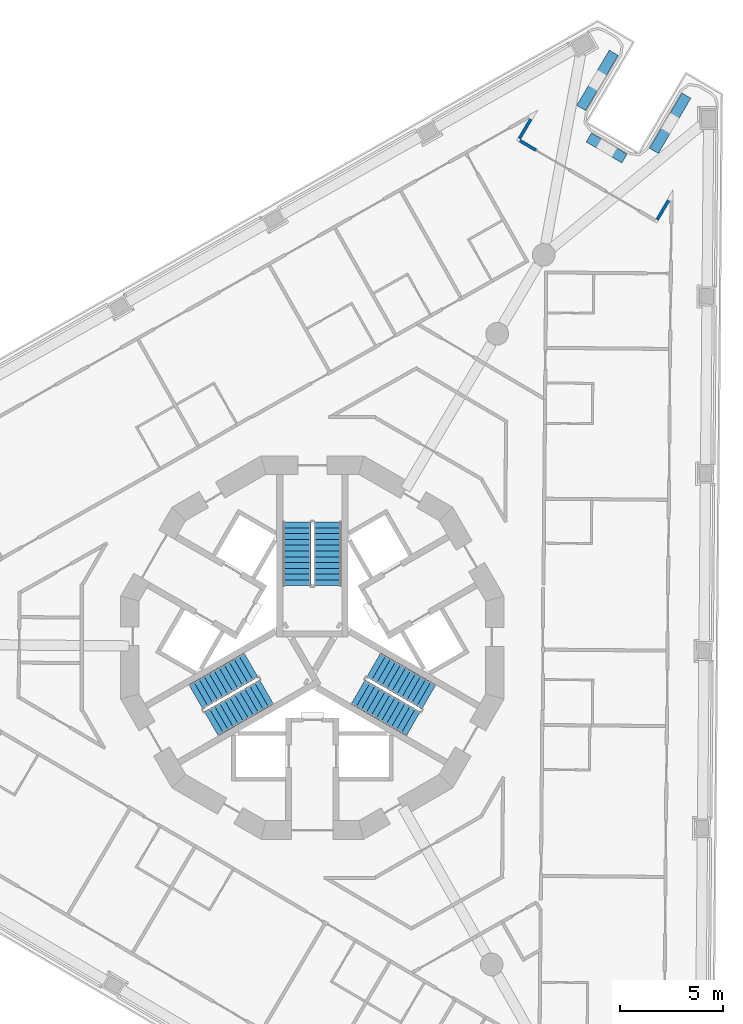
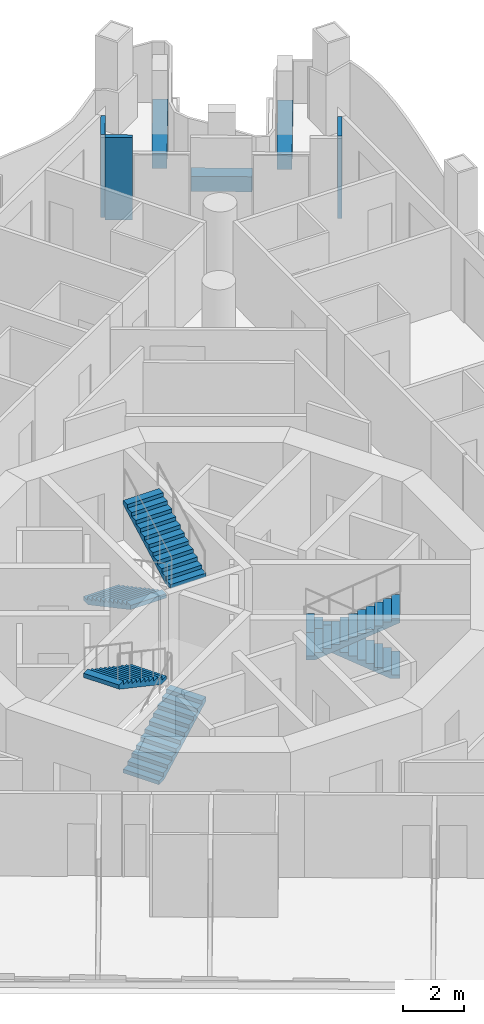
# One storey, part 10 of 17: 6 stair flights, 6 walls, 3 elements without a shape of their own.
"""IFC4 building model written with IfcOpenShell, lengths in metres."""

from ifc_helpers import new_model, si_unit, direction, frame, frame_2d, origin, place, context, subcontext, project, spatial, polyline, rectangle, outline, extrude, material, layer, layer_set, type_object, element, aggregate, save


model = new_model("IFC4")

# Units and contexts
model_context = context("Model", 3, precision=1e-05, world=origin(), true_north=direction((0.0, 1.0)))
body_context = subcontext(model_context, "Body", "Model", "MODEL_VIEW")
ifc_project = project(units=[si_unit("LENGTHUNIT", "METRE"), si_unit("AREAUNIT", "SQUARE_METRE"), si_unit("VOLUMEUNIT", "CUBIC_METRE"), si_unit("PLANEANGLEUNIT", "RADIAN"), si_unit("MASSUNIT", "GRAM", prefix="KILO")], contexts=[model_context])

# Site, building, storey
site_placement = place(None, origin())
site = spatial("IfcSite", under=ifc_project, at=site_placement, CompositionType="ELEMENT")
building_placement = place(site_placement, origin())
building = spatial("IfcBuilding", under=site, at=building_placement, Name="Trine Commons Tower", CompositionType="ELEMENT")
storey_placement = place(building_placement, frame((0.0, 0.0, 164.699951171875)))
storey = spatial("IfcBuildingStorey", under=building, at=storey_placement, Name="L42", CompositionType="ELEMENT", Elevation=164.699951171875)

# Walls
ifc_material_1 = material(Name="Aluminium-framed insulated wall panel", Category="aluminium")
ifc_layer_1 = layer(ifc_material_1, 0.14990234375)
ifc_layer_set_1 = layer_set([ifc_layer_1], Name="Aluminium-framed insulated wall panel")
wall_type_1 = type_object("IfcWallType", Name="Glazed frame wall 150, EI 60", PredefinedType="SOLIDWALL", material=ifc_layer_set_1)
wall_1_placement = place(storey_placement, frame((90.63720703125, 88.173583984375, 0.0), z_axis=(0.0, 0.0, 1.0), x_axis=(-0.507591242276, -0.861598009958, 0.0)))
element("IfcWall", 1, at=wall_1_placement, inside=storey, type_object=wall_type_1, Name="Glazed frame wall R5", PredefinedType="SOLIDWALL", context=body_context, shape_type="SweptSolid", body=[
    extrude(outline(polyline([(0.1494140625, 0.074951171875), (0.1494140625, -0.074951171875), (1.235107421875, -0.074951171875), (1.235107421875, 0.074951171875), (0.1494140625, 0.074951171875)])), origin(), (0.0, 0.0, 1.0), 3.300048828125),
])
wall_2_placement = place(storey_placement, frame((89.9423828125, 87.062744140625, 0.0), z_axis=(0.0, 0.0, 1.0), x_axis=(0.861601384654, -0.50758551394, 0.0)))
element("IfcWall", 2, at=wall_2_placement, inside=storey, type_object=wall_type_1, Name="Glazed frame wall P2.1", PredefinedType="SOLIDWALL", context=body_context, shape_type="SweptSolid", body=[
    extrude(outline(polyline([(0.110107421875, -0.074951171875), (1.0, -0.074951171875), (1.0, 0.074951171875), (0.110107421875, 0.074951171875), (0.110107421875, -0.074951171875)])), origin(), (0.0, 0.0, 1.0), 3.300048828125),
])
wall_3_placement = place(storey_placement, frame((96.614990234375, 83.091552734375, 0.0), z_axis=(0.0, 0.0, 1.0), x_axis=(0.507511857062, 0.86164477306, 0.0)))
element("IfcWall", 3, at=wall_3_placement, inside=storey, type_object=wall_type_1, Name="Glazed frame wall R7", PredefinedType="SOLIDWALL", context=body_context, shape_type="SweptSolid", body=[
    extrude(outline(polyline([(0.110107421875, 0.074951171875), (0.110107421875, -0.074951171875), (1.19580078125, -0.074951171875), (1.19580078125, 0.074951171875), (0.110107421875, 0.074951171875)])), origin(), (0.0, 0.0, 1.0), 3.300048828125),
])
ifc_material_2 = material(Name="Planter trough, precast concrete C40/50", Category="concrete")
ifc_layer_2 = layer(ifc_material_2, 0.5)
ifc_layer_set_2 = layer_set([ifc_layer_2], Name="Planter trough, precast concrete C40/50")
wall_type_2 = type_object("IfcWallType", Name="Planter trough 500x600", PredefinedType="PARAPET", material=ifc_layer_set_2)
wall_4_placement = place(storey_placement, frame((94.572509765625, 91.25830078125, 0.0), z_axis=(0.0, 0.0, 1.0), x_axis=(-0.507587916184, -0.861599969443, 0.0)))
element("IfcWall", 4, at=wall_4_placement, inside=storey, type_object=wall_type_2, Name="Planter 4", PredefinedType="PARAPET", context=body_context, shape_type="SweptSolid", body=[
    extrude(rectangle(XDim=3.099853515625, YDim=0.5, at=frame_2d((1.5498046875, 0.0))), origin(), (0.0, 0.0, 1.0), 0.60009765625),
])
wall_5_placement = place(storey_placement, frame((93.3671875, 87.163330078125, 0.0), z_axis=(0.0, 0.0, 1.0), x_axis=(0.861632831324, -0.507532130988, 0.0)))
element("IfcWall", 5, at=wall_5_placement, inside=storey, type_object=wall_type_2, Name="Planter 5", PredefinedType="PARAPET", context=body_context, shape_type="SweptSolid", body=[
    extrude(rectangle(XDim=2.000244140625, YDim=0.5, at=frame_2d((1.0, 0.0))), origin(), (0.0, 0.0, 1.0), 0.60009765625),
])
wall_6_placement = place(storey_placement, frame((96.514404296875, 86.5166015625, 0.0), z_axis=(0.0, 0.0, 1.0), x_axis=(0.507587916184, 0.861599969443, 0.0)))
element("IfcWall", 6, at=wall_6_placement, inside=storey, type_object=wall_type_2, Name="Planter 6", PredefinedType="PARAPET", context=body_context, shape_type="SweptSolid", body=[
    extrude(rectangle(XDim=3.099853515625, YDim=0.5, at=frame_2d((1.5498046875, 0.0))), origin(), (0.0, 0.0, 1.0), 0.60009765625),
])

# Stair, stair flights
ifc_material_3 = material(Name="Concrete C50/60", Category="concrete")
stair_type = type_object("IfcStairType", Name="Exit stair, dog-leg, 24 risers of 150 mm", PredefinedType="HALF_TURN_STAIR", material=ifc_material_3)
stair_1_placement = place(storey_placement, origin())
stair_1 = element("IfcStair", 7, at=stair_1_placement, inside=storey, type_object=stair_type, Name="L42 Exit stair ST1B", PredefinedType="HALF_TURN_STAIR")
stair_flight_type = type_object("IfcStairFlightType", Name="Stair flight, 1350 wide, 12 risers of 150 mm", PredefinedType="STRAIGHT", material=ifc_material_3)
stair_flight_1_placement = place(storey_placement, frame((79.25, 68.570556640625, 0.0), z_axis=(0.0, 0.0, 1.0), x_axis=(0.0, -1.0, 0.0)))
stair_flight_1 = element("IfcStairFlight", 8, at=stair_flight_1_placement, type_object=stair_flight_type, Name="ST1B flight 1", NumberOfRisers=12, NumberOfTreads=11, PredefinedType="STRAIGHT", RiserHeight=0.15, TreadLength=0.28, context=body_context, shape_type="SweptSolid", body=[
    extrude(outline(polyline([(0.0, 0.0), (0.0, 0.14990234375), (0.280029296875, 0.14990234375), (0.280029296875, 0.300048828125), (0.56005859375, 0.300048828125), (0.56005859375, 0.449951171875), (0.840087890625, 0.449951171875), (0.840087890625, 0.60009765625), (1.1201171875, 0.60009765625), (1.1201171875, 0.75), (1.39990234375, 0.75), (1.39990234375, 0.89990234375), (1.679931640625, 0.89990234375), (1.679931640625, 1.050048828125), (1.9599609375, 1.050048828125), (1.9599609375, 1.199951171875), (2.239990234375, 1.199951171875), (2.239990234375, 1.35009765625), (2.52001953125, 1.35009765625), (2.52001953125, 1.5), (2.800048828125, 1.5), (2.800048828125, 1.64990234375), (3.080078125, 1.64990234375), (3.080078125, 1.800048828125), (3.080078125, 1.47998046875), (0.3173828125, 0.0), (0.0, 0.0)])), frame((0.0, 0.675048828125, 0.0), z_axis=(0.0, -1.0, 0.0), x_axis=(1.0, 0.0, 0.0)), (0.0, 0.0, 1.0), 1.35009765625),
])
stair_flight_2_placement = place(storey_placement, frame((80.75, 65.490478515625, 1.800048828125), z_axis=(0.0, 0.0, 1.0), x_axis=(0.0, 1.0, 0.0)))
stair_flight_2 = element("IfcStairFlight", 9, at=stair_flight_2_placement, type_object=stair_flight_type, Name="ST1B flight 2", NumberOfRisers=12, NumberOfTreads=11, PredefinedType="STRAIGHT", RiserHeight=0.15, TreadLength=0.28, context=body_context, shape_type="SweptSolid", body=[
    extrude(outline(polyline([(0.0, 0.0), (0.0, 0.14990234375), (0.280029296875, 0.14990234375), (0.280029296875, 0.300048828125), (0.56005859375, 0.300048828125), (0.56005859375, 0.449951171875), (0.840087890625, 0.449951171875), (0.840087890625, 0.60009765625), (1.1201171875, 0.60009765625), (1.1201171875, 0.75), (1.39990234375, 0.75), (1.39990234375, 0.89990234375), (1.679931640625, 0.89990234375), (1.679931640625, 1.050048828125), (1.9599609375, 1.050048828125), (1.9599609375, 1.199951171875), (2.239990234375, 1.199951171875), (2.239990234375, 1.35009765625), (2.52001953125, 1.35009765625), (2.52001953125, 1.5), (2.800048828125, 1.5), (2.800048828125, 1.64990234375), (3.080078125, 1.64990234375), (3.080078125, 1.800048828125), (3.080078125, 1.47998046875), (0.3173828125, 0.0), (0.0, 0.0)])), frame((0.0, 0.675048828125, 0.0), z_axis=(0.0, -1.0, 0.0), x_axis=(1.0, 0.0, 0.0)), (0.0, 0.0, 1.0), 1.35009765625),
])
aggregate(stair_1, [stair_flight_1, stair_flight_2])

stair_2_placement = place(storey_placement, origin())
stair_2 = element("IfcStair", 10, at=stair_2_placement, inside=storey, type_object=stair_type, Name="L42 Exit stair ST2B", PredefinedType="HALF_TURN_STAIR")
stair_flight_3_placement = place(storey_placement, frame((75.11767578125, 58.815185546875, 0.0), z_axis=(0.0, 0.0, 1.0), x_axis=(0.866025403784, 0.5, 0.0)))
stair_flight_3 = element("IfcStairFlight", 11, at=stair_flight_3_placement, type_object=stair_flight_type, Name="ST2B flight 1", NumberOfRisers=12, NumberOfTreads=11, PredefinedType="STRAIGHT", RiserHeight=0.15, TreadLength=0.28, context=body_context, shape_type="SweptSolid", body=[
    extrude(outline(polyline([(0.0, 0.0), (0.0, 0.14990234375), (0.280029296875, 0.14990234375), (0.280029296875, 0.300048828125), (0.56005859375, 0.300048828125), (0.56005859375, 0.449951171875), (0.840087890625, 0.449951171875), (0.840087890625, 0.60009765625), (1.1201171875, 0.60009765625), (1.1201171875, 0.75), (1.39990234375, 0.75), (1.39990234375, 0.89990234375), (1.679931640625, 0.89990234375), (1.679931640625, 1.050048828125), (1.9599609375, 1.050048828125), (1.9599609375, 1.199951171875), (2.239990234375, 1.199951171875), (2.239990234375, 1.35009765625), (2.52001953125, 1.35009765625), (2.52001953125, 1.5), (2.800048828125, 1.5), (2.800048828125, 1.64990234375), (3.080078125, 1.64990234375), (3.080078125, 1.800048828125), (3.080078125, 1.47998046875), (0.3173828125, 0.0), (0.0, 0.0)])), frame((0.0, 0.675048828125, 0.0), z_axis=(0.0, -1.0, 0.0), x_axis=(1.0, 0.0, 0.0)), (0.0, 0.0, 1.0), 1.35009765625),
])
stair_flight_4_placement = place(storey_placement, frame((77.03515625, 61.654296875, 1.800048828125), z_axis=(0.0, 0.0, 1.0), x_axis=(-0.866025403784, -0.5, 0.0)))
stair_flight_4 = element("IfcStairFlight", 12, at=stair_flight_4_placement, type_object=stair_flight_type, Name="ST2B flight 2", NumberOfRisers=12, NumberOfTreads=11, PredefinedType="STRAIGHT", RiserHeight=0.15, TreadLength=0.28, context=body_context, shape_type="SweptSolid", body=[
    extrude(outline(polyline([(0.0, 0.0), (0.0, 0.14990234375), (0.280029296875, 0.14990234375), (0.280029296875, 0.300048828125), (0.56005859375, 0.300048828125), (0.56005859375, 0.449951171875), (0.840087890625, 0.449951171875), (0.840087890625, 0.60009765625), (1.1201171875, 0.60009765625), (1.1201171875, 0.75), (1.39990234375, 0.75), (1.39990234375, 0.89990234375), (1.679931640625, 0.89990234375), (1.679931640625, 1.050048828125), (1.9599609375, 1.050048828125), (1.9599609375, 1.199951171875), (2.239990234375, 1.199951171875), (2.239990234375, 1.35009765625), (2.52001953125, 1.35009765625), (2.52001953125, 1.5), (2.800048828125, 1.5), (2.800048828125, 1.64990234375), (3.080078125, 1.64990234375), (3.080078125, 1.800048828125), (3.080078125, 1.47998046875), (0.3173828125, 0.0), (0.0, 0.0)])), frame((0.0, 0.675048828125, 0.0), z_axis=(0.0, -1.0, 0.0), x_axis=(1.0, 0.0, 0.0)), (0.0, 0.0, 1.0), 1.35009765625),
])
aggregate(stair_2, [stair_flight_3, stair_flight_4])

stair_3_placement = place(storey_placement, origin())
stair_3 = element("IfcStair", 13, at=stair_3_placement, inside=storey, type_object=stair_type, Name="L42 Exit stair ST3B", PredefinedType="HALF_TURN_STAIR")
stair_flight_5_placement = place(storey_placement, frame((85.63232421875, 60.1142578125, 0.0), z_axis=(0.0, 0.0, 1.0), x_axis=(-0.866025403784, 0.5, 0.0)))
stair_flight_5 = element("IfcStairFlight", 14, at=stair_flight_5_placement, type_object=stair_flight_type, Name="ST3B flight 1", NumberOfRisers=12, NumberOfTreads=11, PredefinedType="STRAIGHT", RiserHeight=0.15, TreadLength=0.28, context=body_context, shape_type="SweptSolid", body=[
    extrude(outline(polyline([(0.0, 0.0), (0.0, 0.14990234375), (0.280029296875, 0.14990234375), (0.280029296875, 0.300048828125), (0.56005859375, 0.300048828125), (0.56005859375, 0.449951171875), (0.840087890625, 0.449951171875), (0.840087890625, 0.60009765625), (1.1201171875, 0.60009765625), (1.1201171875, 0.75), (1.39990234375, 0.75), (1.39990234375, 0.89990234375), (1.679931640625, 0.89990234375), (1.679931640625, 1.050048828125), (1.9599609375, 1.050048828125), (1.9599609375, 1.199951171875), (2.239990234375, 1.199951171875), (2.239990234375, 1.35009765625), (2.52001953125, 1.35009765625), (2.52001953125, 1.5), (2.800048828125, 1.5), (2.800048828125, 1.64990234375), (3.080078125, 1.64990234375), (3.080078125, 1.800048828125), (3.080078125, 1.47998046875), (0.3173828125, 0.0), (0.0, 0.0)])), frame((0.0, 0.675048828125, 0.0), z_axis=(0.0, -1.0, 0.0), x_axis=(1.0, 0.0, 0.0)), (0.0, 0.0, 1.0), 1.35009765625),
])
stair_flight_6_placement = place(storey_placement, frame((82.21484375, 60.355224609375, 1.800048828125), z_axis=(0.0, 0.0, 1.0), x_axis=(0.866025403784, -0.5, 0.0)))
stair_flight_6 = element("IfcStairFlight", 15, at=stair_flight_6_placement, type_object=stair_flight_type, Name="ST3B flight 2", NumberOfRisers=12, NumberOfTreads=11, PredefinedType="STRAIGHT", RiserHeight=0.15, TreadLength=0.28, context=body_context, shape_type="SweptSolid", body=[
    extrude(outline(polyline([(0.0, 0.0), (0.0, 0.14990234375), (0.280029296875, 0.14990234375), (0.280029296875, 0.300048828125), (0.56005859375, 0.300048828125), (0.56005859375, 0.449951171875), (0.840087890625, 0.449951171875), (0.840087890625, 0.60009765625), (1.1201171875, 0.60009765625), (1.1201171875, 0.75), (1.39990234375, 0.75), (1.39990234375, 0.89990234375), (1.679931640625, 0.89990234375), (1.679931640625, 1.050048828125), (1.9599609375, 1.050048828125), (1.9599609375, 1.199951171875), (2.239990234375, 1.199951171875), (2.239990234375, 1.35009765625), (2.52001953125, 1.35009765625), (2.52001953125, 1.5), (2.800048828125, 1.5), (2.800048828125, 1.64990234375), (3.080078125, 1.64990234375), (3.080078125, 1.800048828125), (3.080078125, 1.47998046875), (0.3173828125, 0.0), (0.0, 0.0)])), frame((0.0, 0.675048828125, 0.0), z_axis=(0.0, -1.0, 0.0), x_axis=(1.0, 0.0, 0.0)), (0.0, 0.0, 1.0), 1.35009765625),
])
aggregate(stair_3, [stair_flight_5, stair_flight_6])

save(model, "model.ifc")
